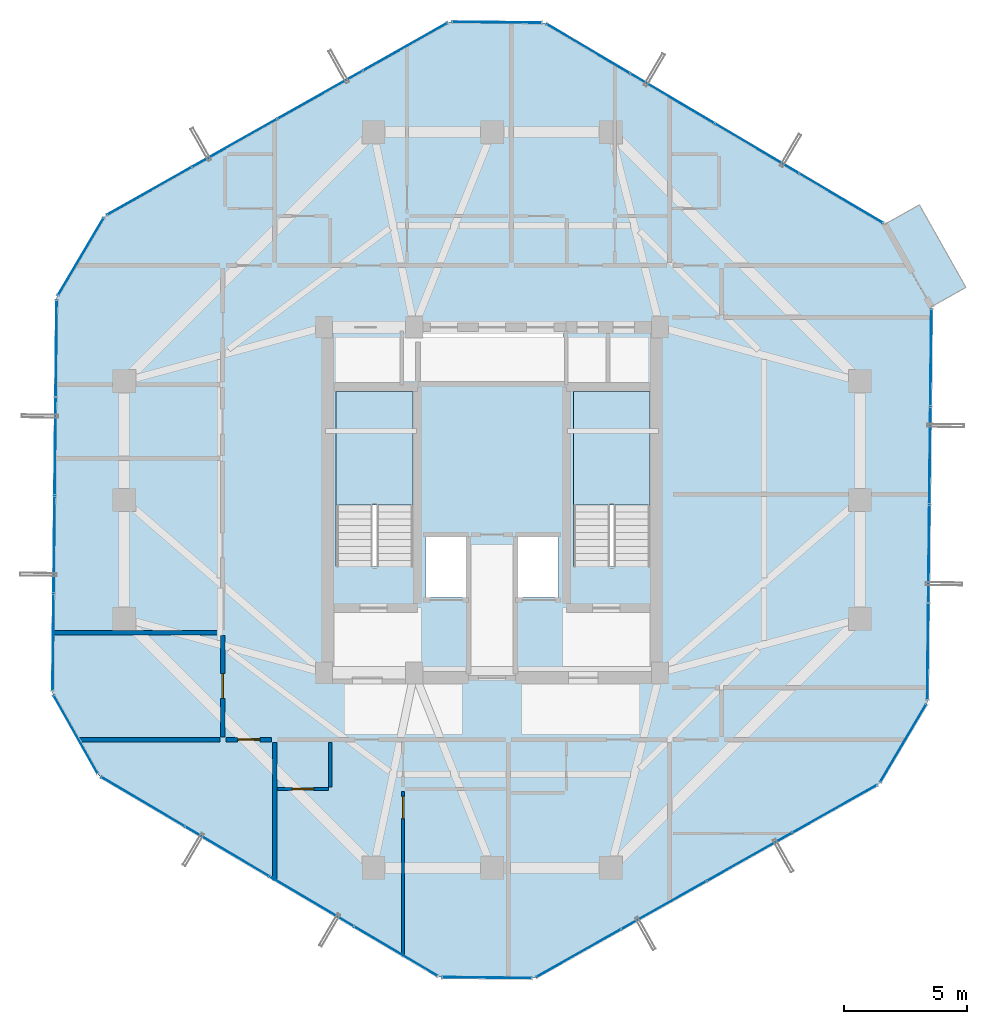
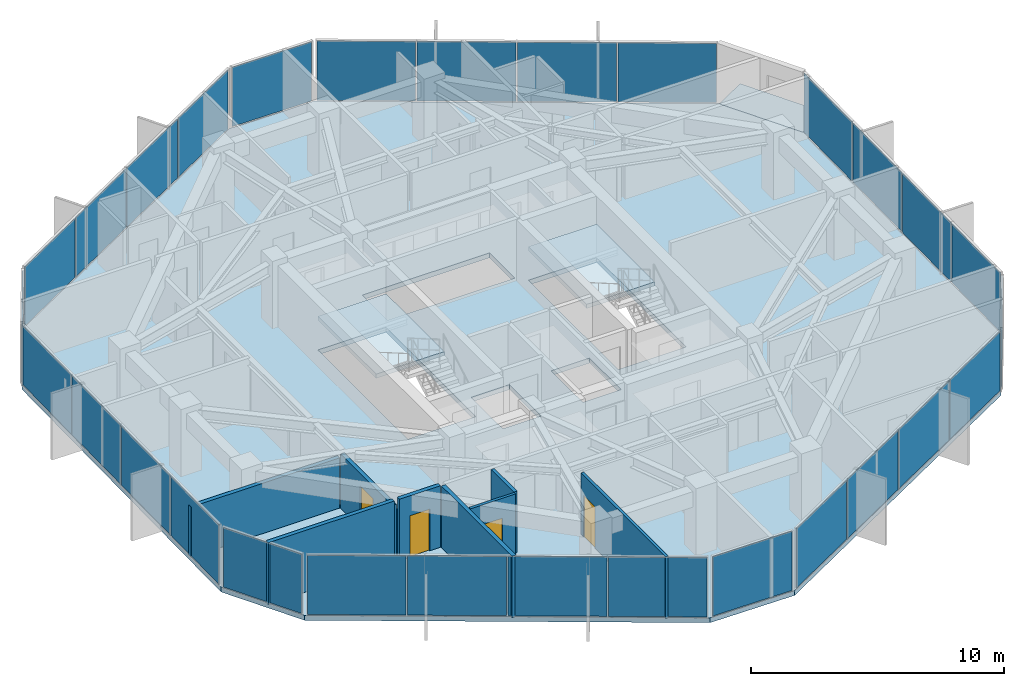
# One storey, part 25 of 30: 29 plates, 8 walls, 4 doors, 4 slabs, 4 openings, 13 elements without a shape of their own.
"""IFC4 building model written with IfcOpenShell, lengths in metres."""

from ifc_helpers import new_model, si_unit, direction, frame, frame_2d, origin, origin_2d, place, context, subcontext, project, spatial, polyline, rectangle, outline, extrude, source, transform, mapped, material, layer, layer_set, type_object, element, fill, aggregate, save


model = new_model("IFC4")

# Units and contexts
model_context = context("Model", 3, precision=1e-05, world=origin(), true_north=direction((0.0, 1.0)))
body_context = subcontext(model_context, "Body", "Model", "MODEL_VIEW")
ifc_project = project(units=[si_unit("LENGTHUNIT", "METRE"), si_unit("AREAUNIT", "SQUARE_METRE"), si_unit("VOLUMEUNIT", "CUBIC_METRE"), si_unit("PLANEANGLEUNIT", "RADIAN"), si_unit("MASSUNIT", "GRAM", prefix="KILO")], contexts=[model_context])

# Site, building, storey
site_placement = place(None, origin())
site = spatial("IfcSite", under=ifc_project, at=site_placement, CompositionType="ELEMENT")
building_placement = place(site_placement, origin())
building = spatial("IfcBuilding", under=site, at=building_placement, Name="Veraguas Prism Commons", CompositionType="ELEMENT")
storey_placement = place(building_placement, frame((0.0, 0.0, 208.10009765625)))
storey = spatial("IfcBuildingStorey", under=building, at=storey_placement, Name="L59", CompositionType="ELEMENT", Elevation=208.10009765625)

# Stair, slab
ifc_material_1 = material(Name="Precast concrete C45/55", Category="concrete")
stair_type = type_object("IfcStairType", Name="Dogleg Core Stair 1480W 20R 05", PredefinedType="HALF_TURN_STAIR", material=ifc_material_1)
stair_1_placement = place(storey_placement, origin())
stair_1 = element("IfcStair", 1, at=stair_1_placement, inside=storey, type_object=stair_type, Name="Protected Exit Stair ST-01 L59", PredefinedType="HALF_TURN_STAIR")
ifc_layer_1 = layer(ifc_material_1, 0.199951171875, Name="Precast Stair and Ramp Landing Slab 200", Category="concrete")
ifc_layer_set_1 = layer_set([ifc_layer_1], Name="Precast concrete C45/55")
slab_type_1 = type_object("IfcSlabType", Name="Precast Stair and Ramp Landing Slab 200", PredefinedType="LANDING", material=ifc_layer_set_1)
slab_1_placement = place(storey_placement, frame((0.0, 0.0, 1.4248046875)))
slab_1 = element("IfcSlab", 2, at=slab_1_placement, type_object=slab_type_1, Name="ST-05 Landing 1", PredefinedType="LANDING", context=body_context, shape_type="SweptSolid", body=[
    extrude(outline(polyline([(20.800048828125, 23.800048828125), (20.800048828125, 28.39990234375), (17.68994140625, 28.39990234375), (17.68994140625, 23.800048828125), (20.800048828125, 23.800048828125)])), origin(), (0.0, 0.0, 1.0), 0.2001953125),
])
aggregate(stair_1, [slab_1])

stair_2_placement = place(storey_placement, origin())
stair_2 = element("IfcStair", 3, at=stair_2_placement, inside=storey, type_object=stair_type, Name="Protected Exit Stair ST-02 L59", PredefinedType="HALF_TURN_STAIR")
slab_2_placement = place(storey_placement, frame((0.0, 0.0, 1.4248046875)))
slab_2 = element("IfcSlab", 4, at=slab_2_placement, type_object=slab_type_1, Name="ST-05 Landing 1", PredefinedType="LANDING", context=body_context, shape_type="SweptSolid", body=[
    extrude(outline(polyline([(30.39990234375, 23.800048828125), (30.39990234375, 28.39990234375), (27.2900390625, 28.39990234375), (27.2900390625, 23.800048828125), (30.39990234375, 23.800048828125)])), origin(), (0.0, 0.0, 1.0), 0.2001953125),
])
aggregate(stair_2, [slab_2])

# Slabs
ifc_material_2 = material(Name="Concrete C45/55", Category="concrete")
ifc_layer_2 = layer(ifc_material_2, 0.219970703125, Name="Recessed Loggia and Terrace Slab RC 220", Category="concrete")
ifc_layer_set_2 = layer_set([ifc_layer_2], Name="Concrete C45/55")
slab_type_2 = type_object("IfcSlabType", Name="Recessed Loggia and Terrace Slab RC 220", PredefinedType="FLOOR", material=ifc_layer_set_2)
slab_3_placement = place(storey_placement, frame((0.0, 0.0, -0.22021484375)))
element("IfcSlab", 5, at=slab_3_placement, inside=storey, type_object=slab_type_2, Name="Recessed Corner Loggia L59-C1", PredefinedType="FLOOR", context=body_context, shape_type="SweptSolid", body=[
    extrude(outline(polyline([(41.775634765625, 31.8154296875), (43.18701171875, 32.610595703125), (41.3046875, 35.951416015625), (39.893310546875, 35.156005859375), (41.775634765625, 31.8154296875)])), origin(), (0.0, 0.0, 1.0), 0.22021484375),
])
ifc_layer_3 = layer(ifc_material_2, 0.235107421875, Name="Tower Upper Residential Floor Slab RC 235", Category="concrete")
ifc_layer_set_3 = layer_set([ifc_layer_3], Name="Concrete C45/55")
slab_type_3 = type_object("IfcSlabType", Name="Tower Upper Residential Floor Slab RC 235", PredefinedType="FLOOR", material=ifc_layer_set_3)
slab_4_placement = place(storey_placement, frame((0.0, 0.0, -0.235107421875)))
element("IfcSlab", 6, at=slab_4_placement, inside=storey, type_object=slab_type_3, Name="Tower Floor Slab L59", PredefinedType="FLOOR", context=body_context, shape_type="SweptSolid", body=[
    extrude(outline(polyline([(41.793212890625, 31.8251953125), (39.910888671875, 35.166015625), (26.11962890625, 43.322021484375), (22.285400390625, 43.362060546875), (8.326416015625, 35.49658203125), (6.37451171875, 32.1962890625), (6.206787109375, 16.1748046875), (8.089111328125, 12.833984375), (21.88037109375, 4.677978515625), (25.714599609375, 4.637939453125), (39.673583984375, 12.50341796875), (41.62548828125, 15.8037109375), (41.793212890625, 31.8251953125)]), holes=[polyline([(20.800048828125, 21.31005859375), (20.800048828125, 28.39990234375), (17.68994140625, 28.39990234375), (17.68994140625, 21.31005859375), (20.800048828125, 21.31005859375)]), polyline([(30.39990234375, 21.31005859375), (30.39990234375, 28.39990234375), (27.2900390625, 28.39990234375), (27.2900390625, 21.31005859375), (30.39990234375, 21.31005859375)]), polyline([(21.10009765625, 28.800048828125), (26.89990234375, 28.800048828125), (26.89990234375, 30.800048828125), (21.10009765625, 30.800048828125), (21.10009765625, 28.800048828125)]), polyline([(21.300048828125, 20.050048828125), (23.050048828125, 20.050048828125), (23.050048828125, 22.550048828125), (21.300048828125, 22.550048828125), (21.300048828125, 20.050048828125)]), polyline([(24.949951171875, 20.050048828125), (26.699951171875, 20.050048828125), (26.699951171875, 22.550048828125), (24.949951171875, 22.550048828125), (24.949951171875, 20.050048828125)])]), origin(), (0.0, 0.0, 1.0), 0.235107421875),
])

# Curtain wall, plates
ifc_material_3 = material(Name="Anodised aluminium EN AW-6063 T6", Category="aluminium")
ifc_layer_4 = layer(ifc_material_3, 0.14990234375, Name="Unitised Flush Curtain Wall Zone 3", Category="aluminium")
ifc_layer_set_4 = layer_set([ifc_layer_4], Name="Anodised aluminium EN AW-6063 T6")
curtain_wall_type = type_object("IfcCurtainWallType", Name="Unitised Flush Curtain Wall Zone 3", PredefinedType="NOTDEFINED", material=ifc_layer_set_4)
curtain_wall_1_placement = place(storey_placement, origin())
curtain_wall_1 = element("IfcCurtainWall", 7, at=curtain_wall_1_placement, inside=storey, type_object=curtain_wall_type, Name="Tower Facade Curtain Wall L59-F1", PredefinedType="NOTDEFINED")
ifc_material_4 = material(Name="Laminated low-e glass", Category="glass")
ifc_layer_5 = layer(ifc_material_4, 0.028076171875, Name="Unitised Double Low-E Glazed Panel 28", Category="glass")
ifc_layer_set_5 = layer_set([ifc_layer_5], Name="Laminated low-e glass")
plate_type = type_object("IfcPlateType", Name="Unitised Double Low-E Glazed Panel 28", PredefinedType="CURTAIN_PANEL", material=ifc_layer_set_5)
shared_shape_1 = source(origin(), body_context, "Body", "SweptSolid", [
    extrude(rectangle(XDim=3.8857421875, YDim=0.028076171875, at=origin_2d()), origin(), (0.0, 0.0, 1.0), 2.860107421875),
])
plate_1_placement = place(storey_placement, frame((38.13525390625, 36.2158203125, 0.0546875), z_axis=(0.0, 0.0, 1.0), x_axis=(-0.860741138558, 0.509042918028, 0.0)))
plate_1 = element("IfcPlate", 8, at=plate_1_placement, type_object=plate_type, Name="CW-Z3 Panel 1.1", PredefinedType="CURTAIN_PANEL", context=body_context, shape_type="MappedRepresentation", body=[
    mapped(shared_shape_1, transform((0.0, 0.0, 0.0), scale=1.0)),
])
plate_2_placement = place(storey_placement, frame((27.89501953125, 42.27197265625, 0.0546875), z_axis=(0.0, 0.0, 1.0), x_axis=(-0.860741138558, 0.509042918028, 0.0)))
plate_2 = element("IfcPlate", 9, at=plate_2_placement, type_object=plate_type, Name="CW-Z3 Panel 4.1", PredefinedType="CURTAIN_PANEL", context=body_context, shape_type="MappedRepresentation", body=[
    mapped(shared_shape_1, transform((0.0, 0.0, 0.0), scale=1.0)),
])

curtain_wall_2_placement = place(storey_placement, origin())
curtain_wall_2 = element("IfcCurtainWall", 10, at=curtain_wall_2_placement, inside=storey, type_object=curtain_wall_type, Name="Tower Facade Curtain Wall L59-F4", PredefinedType="NOTDEFINED")
plate_3_placement = place(storey_placement, frame((9.86474609375, 11.7841796875, 0.0546875), z_axis=(0.0, 0.0, 1.0), x_axis=(0.860741138558, -0.509042918028, 0.0)))
plate_3 = element("IfcPlate", 11, at=plate_3_placement, type_object=plate_type, Name="CW-Z3 Panel 1.1", PredefinedType="CURTAIN_PANEL", context=body_context, shape_type="MappedRepresentation", body=[
    mapped(shared_shape_1, transform((0.0, 0.0, 0.0), scale=1.0)),
])
plate_4_placement = place(storey_placement, frame((20.10498046875, 5.72802734375, 0.0546875), z_axis=(0.0, 0.0, 1.0), x_axis=(0.860741138558, -0.509042918028, 0.0)))
plate_4 = element("IfcPlate", 12, at=plate_4_placement, type_object=plate_type, Name="CW-Z3 Panel 4.1", PredefinedType="CURTAIN_PANEL", context=body_context, shape_type="MappedRepresentation", body=[
    mapped(shared_shape_1, transform((0.0, 0.0, 0.0), scale=1.0)),
])

# Plate
shared_shape_2 = source(origin(), body_context, "Body", "SweptSolid", [
    extrude(rectangle(XDim=3.91552734375, YDim=0.028076171875, at=origin_2d()), origin(), (0.0, 0.0, 1.0), 2.860107421875),
])
plate_5_placement = place(storey_placement, frame((34.726318359375, 38.232177734375, 0.0546875), z_axis=(0.0, 0.0, 1.0), x_axis=(-0.860741138558, 0.509042918028, 0.0)))
plate_5 = element("IfcPlate", 13, at=plate_5_placement, type_object=plate_type, Name="CW-Z3 Panel 2.1", PredefinedType="CURTAIN_PANEL", context=body_context, shape_type="MappedRepresentation", body=[
    mapped(shared_shape_2, transform((0.0, 0.0, 0.0), scale=1.0)),
])

plate_6_placement = place(storey_placement, frame((31.30419921875, 40.255859375, 0.0546875), z_axis=(0.0, 0.0, 1.0), x_axis=(-0.860741138558, 0.509042918028, 0.0)))
plate_6 = element("IfcPlate", 14, at=plate_6_placement, type_object=plate_type, Name="CW-Z3 Panel 3.1", PredefinedType="CURTAIN_PANEL", context=body_context, shape_type="MappedRepresentation", body=[
    mapped(shared_shape_2, transform((0.0, 0.0, 0.0), scale=1.0)),
])

aggregate(curtain_wall_1, [plate_1, plate_5, plate_6, plate_2])

# Curtain wall, plates
curtain_wall_3_placement = place(storey_placement, origin())
curtain_wall_3 = element("IfcCurtainWall", 15, at=curtain_wall_3_placement, inside=storey, type_object=curtain_wall_type, Name="Tower Facade Curtain Wall L59-F2", PredefinedType="NOTDEFINED")
plate_7_placement = place(storey_placement, frame((17.037841796875, 40.4052734375, 0.0546875), z_axis=(0.0, 0.0, 1.0), x_axis=(-0.871215524692, -0.490900712502, 0.0)))
plate_7 = element("IfcPlate", 16, at=plate_7_placement, type_object=plate_type, Name="CW-Z3 Panel 2.1", PredefinedType="CURTAIN_PANEL", context=body_context, shape_type="MappedRepresentation", body=[
    mapped(shared_shape_2, transform((0.0, 0.0, 0.0), scale=1.0)),
])
plate_8_placement = place(storey_placement, frame((13.57421875, 38.45361328125, 0.0546875), z_axis=(0.0, 0.0, 1.0), x_axis=(-0.871215524692, -0.490900712502, 0.0)))
plate_8 = element("IfcPlate", 17, at=plate_8_placement, type_object=plate_type, Name="CW-Z3 Panel 3.1", PredefinedType="CURTAIN_PANEL", context=body_context, shape_type="MappedRepresentation", body=[
    mapped(shared_shape_2, transform((0.0, 0.0, 0.0), scale=1.0)),
])

curtain_wall_4_placement = place(storey_placement, origin())
curtain_wall_4 = element("IfcCurtainWall", 18, at=curtain_wall_4_placement, inside=storey, type_object=curtain_wall_type, Name="Tower Facade Curtain Wall L59-F3", PredefinedType="NOTDEFINED")
plate_9_placement = place(storey_placement, frame((6.3115234375, 26.173095703125, 0.0546875), z_axis=(0.0, 0.0, 1.0), x_axis=(-0.010470038883, -0.999945187641, 0.0)))
plate_9 = element("IfcPlate", 19, at=plate_9_placement, type_object=plate_type, Name="CW-Z3 Panel 2.1", PredefinedType="CURTAIN_PANEL", context=body_context, shape_type="MappedRepresentation", body=[
    mapped(shared_shape_2, transform((0.0, 0.0, 0.0), scale=1.0)),
])
plate_10_placement = place(storey_placement, frame((6.27001953125, 22.19775390625, 0.0546875), z_axis=(0.0, 0.0, 1.0), x_axis=(-0.010470038883, -0.999945187641, 0.0)))
plate_10 = element("IfcPlate", 20, at=plate_10_placement, type_object=plate_type, Name="CW-Z3 Panel 3.1", PredefinedType="CURTAIN_PANEL", context=body_context, shape_type="MappedRepresentation", body=[
    mapped(shared_shape_2, transform((0.0, 0.0, 0.0), scale=1.0)),
])

# Plate
plate_11_placement = place(storey_placement, frame((13.273681640625, 9.767822265625, 0.0546875), z_axis=(0.0, 0.0, 1.0), x_axis=(0.860741138558, -0.509042918028, 0.0)))
plate_11 = element("IfcPlate", 21, at=plate_11_placement, type_object=plate_type, Name="CW-Z3 Panel 2.1", PredefinedType="CURTAIN_PANEL", context=body_context, shape_type="MappedRepresentation", body=[
    mapped(shared_shape_2, transform((0.0, 0.0, 0.0), scale=1.0)),
])

plate_12_placement = place(storey_placement, frame((16.69580078125, 7.744140625, 0.0546875), z_axis=(0.0, 0.0, 1.0), x_axis=(0.860741138558, -0.509042918028, 0.0)))
plate_12 = element("IfcPlate", 22, at=plate_12_placement, type_object=plate_type, Name="CW-Z3 Panel 3.1", PredefinedType="CURTAIN_PANEL", context=body_context, shape_type="MappedRepresentation", body=[
    mapped(shared_shape_2, transform((0.0, 0.0, 0.0), scale=1.0)),
])

aggregate(curtain_wall_2, [plate_3, plate_11, plate_12, plate_4])

# Curtain wall, plates
curtain_wall_5_placement = place(storey_placement, origin())
curtain_wall_5 = element("IfcCurtainWall", 23, at=curtain_wall_5_placement, inside=storey, type_object=curtain_wall_type, Name="Tower Facade Curtain Wall L59-F5", PredefinedType="NOTDEFINED")
plate_13_placement = place(storey_placement, frame((30.962158203125, 7.5947265625, 0.0546875), z_axis=(0.0, 0.0, 1.0), x_axis=(0.871215524692, 0.490900712502, 0.0)))
plate_13 = element("IfcPlate", 24, at=plate_13_placement, type_object=plate_type, Name="CW-Z3 Panel 2.1", PredefinedType="CURTAIN_PANEL", context=body_context, shape_type="MappedRepresentation", body=[
    mapped(shared_shape_2, transform((0.0, 0.0, 0.0), scale=1.0)),
])
plate_14_placement = place(storey_placement, frame((34.42578125, 9.54638671875, 0.0546875), z_axis=(0.0, 0.0, 1.0), x_axis=(0.871215524692, 0.490900712502, 0.0)))
plate_14 = element("IfcPlate", 25, at=plate_14_placement, type_object=plate_type, Name="CW-Z3 Panel 3.1", PredefinedType="CURTAIN_PANEL", context=body_context, shape_type="MappedRepresentation", body=[
    mapped(shared_shape_2, transform((0.0, 0.0, 0.0), scale=1.0)),
])

curtain_wall_6_placement = place(storey_placement, origin())
curtain_wall_6 = element("IfcCurtainWall", 26, at=curtain_wall_6_placement, inside=storey, type_object=curtain_wall_type, Name="Tower Facade Curtain Wall L59-F6", PredefinedType="NOTDEFINED")
plate_15_placement = place(storey_placement, frame((41.6884765625, 21.826904296875, 0.0546875), z_axis=(0.0, 0.0, 1.0), x_axis=(0.010470038883, 0.999945187641, 0.0)))
plate_15 = element("IfcPlate", 27, at=plate_15_placement, type_object=plate_type, Name="CW-Z3 Panel 2.1", PredefinedType="CURTAIN_PANEL", context=body_context, shape_type="MappedRepresentation", body=[
    mapped(shared_shape_2, transform((0.0, 0.0, 0.0), scale=1.0)),
])
plate_16_placement = place(storey_placement, frame((41.72998046875, 25.80224609375, 0.0546875), z_axis=(0.0, 0.0, 1.0), x_axis=(0.010470038883, 0.999945187641, 0.0)))
plate_16 = element("IfcPlate", 28, at=plate_16_placement, type_object=plate_type, Name="CW-Z3 Panel 3.1", PredefinedType="CURTAIN_PANEL", context=body_context, shape_type="MappedRepresentation", body=[
    mapped(shared_shape_2, transform((0.0, 0.0, 0.0), scale=1.0)),
])

# Plate
shared_shape_3 = source(origin(), body_context, "Body", "SweptSolid", [
    extrude(rectangle(XDim=3.885498046875, YDim=0.028076171875, at=origin_2d()), origin(), (0.0, 0.0, 1.0), 2.860107421875),
])
plate_17_placement = place(storey_placement, frame((20.48828125, 42.349365234375, 0.0546875), z_axis=(0.0, 0.0, 1.0), x_axis=(-0.871215524692, -0.490900712502, 0.0)))
plate_17 = element("IfcPlate", 29, at=plate_17_placement, type_object=plate_type, Name="CW-Z3 Panel 1.1", PredefinedType="CURTAIN_PANEL", context=body_context, shape_type="MappedRepresentation", body=[
    mapped(shared_shape_3, transform((0.0, 0.0, 0.0), scale=1.0)),
])

plate_18_placement = place(storey_placement, frame((10.123779296875, 36.50927734375, 0.0546875), z_axis=(0.0, 0.0, 1.0), x_axis=(-0.871215524692, -0.490900712502, 0.0)))
plate_18 = element("IfcPlate", 30, at=plate_18_placement, type_object=plate_type, Name="CW-Z3 Panel 4.1", PredefinedType="CURTAIN_PANEL", context=body_context, shape_type="MappedRepresentation", body=[
    mapped(shared_shape_3, transform((0.0, 0.0, 0.0), scale=1.0)),
])

aggregate(curtain_wall_3, [plate_17, plate_7, plate_8, plate_18])

plate_19_placement = place(storey_placement, frame((6.35302734375, 30.133544921875, 0.0546875), z_axis=(0.0, 0.0, 1.0), x_axis=(-0.010470038883, -0.999945187641, 0.0)))
plate_19 = element("IfcPlate", 31, at=plate_19_placement, type_object=plate_type, Name="CW-Z3 Panel 1.1", PredefinedType="CURTAIN_PANEL", context=body_context, shape_type="MappedRepresentation", body=[
    mapped(shared_shape_3, transform((0.0, 0.0, 0.0), scale=1.0)),
])

plate_20_placement = place(storey_placement, frame((6.228515625, 18.2373046875, 0.0546875), z_axis=(0.0, 0.0, 1.0), x_axis=(-0.010470038883, -0.999945187641, 0.0)))
plate_20 = element("IfcPlate", 32, at=plate_20_placement, type_object=plate_type, Name="CW-Z3 Panel 4.1", PredefinedType="CURTAIN_PANEL", context=body_context, shape_type="MappedRepresentation", body=[
    mapped(shared_shape_3, transform((0.0, 0.0, 0.0), scale=1.0)),
])

aggregate(curtain_wall_4, [plate_19, plate_9, plate_10, plate_20])

plate_21_placement = place(storey_placement, frame((27.51171875, 5.650634765625, 0.0546875), z_axis=(0.0, 0.0, 1.0), x_axis=(0.871215524692, 0.490900712502, 0.0)))
plate_21 = element("IfcPlate", 33, at=plate_21_placement, type_object=plate_type, Name="CW-Z3 Panel 1.1", PredefinedType="CURTAIN_PANEL", context=body_context, shape_type="MappedRepresentation", body=[
    mapped(shared_shape_3, transform((0.0, 0.0, 0.0), scale=1.0)),
])

plate_22_placement = place(storey_placement, frame((37.876220703125, 11.49072265625, 0.0546875), z_axis=(0.0, 0.0, 1.0), x_axis=(0.871215524692, 0.490900712502, 0.0)))
plate_22 = element("IfcPlate", 34, at=plate_22_placement, type_object=plate_type, Name="CW-Z3 Panel 4.1", PredefinedType="CURTAIN_PANEL", context=body_context, shape_type="MappedRepresentation", body=[
    mapped(shared_shape_3, transform((0.0, 0.0, 0.0), scale=1.0)),
])

aggregate(curtain_wall_5, [plate_21, plate_13, plate_14, plate_22])

plate_23_placement = place(storey_placement, frame((41.64697265625, 17.866455078125, 0.0546875), z_axis=(0.0, 0.0, 1.0), x_axis=(0.010470038883, 0.999945187641, 0.0)))
plate_23 = element("IfcPlate", 35, at=plate_23_placement, type_object=plate_type, Name="CW-Z3 Panel 1.1", PredefinedType="CURTAIN_PANEL", context=body_context, shape_type="MappedRepresentation", body=[
    mapped(shared_shape_3, transform((0.0, 0.0, 0.0), scale=1.0)),
])

plate_24_placement = place(storey_placement, frame((41.771484375, 29.7626953125, 0.0546875), z_axis=(0.0, 0.0, 1.0), x_axis=(0.010470038883, 0.999945187641, 0.0)))
plate_24 = element("IfcPlate", 36, at=plate_24_placement, type_object=plate_type, Name="CW-Z3 Panel 4.1", PredefinedType="CURTAIN_PANEL", context=body_context, shape_type="MappedRepresentation", body=[
    mapped(shared_shape_3, transform((0.0, 0.0, 0.0), scale=1.0)),
])

aggregate(curtain_wall_6, [plate_23, plate_15, plate_16, plate_24])

# Curtain wall, plate
curtain_wall_7_placement = place(storey_placement, origin())
curtain_wall_7 = element("IfcCurtainWall", 37, at=curtain_wall_7_placement, inside=storey, type_object=curtain_wall_type, Name="Chamfer Curtain Wall L59-C2", PredefinedType="NOTDEFINED")
shared_shape_4 = source(origin(), body_context, "Body", "SweptSolid", [
    extrude(rectangle(XDim=3.59423828125, YDim=0.028076171875, at=origin_2d()), origin(), (0.0, 0.0, 1.0), 2.860107421875),
])
plate_25_placement = place(storey_placement, frame((24.20263671875, 43.342041015625, 0.0546875), z_axis=(0.0, 0.0, 1.0), x_axis=(-0.999945151087, 0.01047352935, 0.0)))
plate_25 = element("IfcPlate", 38, at=plate_25_placement, type_object=plate_type, Name="CW-Z3 Panel 1.1", PredefinedType="CURTAIN_PANEL", context=body_context, shape_type="MappedRepresentation", body=[
    mapped(shared_shape_4, transform((0.0, 0.0, 0.0), scale=1.0)),
])
aggregate(curtain_wall_7, [plate_25])

curtain_wall_8_placement = place(storey_placement, origin())
curtain_wall_8 = element("IfcCurtainWall", 39, at=curtain_wall_8_placement, inside=storey, type_object=curtain_wall_type, Name="Chamfer Curtain Wall L59-C4", PredefinedType="NOTDEFINED")
plate_26_placement = place(storey_placement, frame((7.14794921875, 14.50439453125, 0.0546875), z_axis=(0.0, 0.0, 1.0), x_axis=(0.490885506848, -0.871224092393, 0.0)))
plate_26 = element("IfcPlate", 40, at=plate_26_placement, type_object=plate_type, Name="CW-Z3 Panel 1.1", PredefinedType="CURTAIN_PANEL", context=body_context, shape_type="MappedRepresentation", body=[
    mapped(shared_shape_4, transform((0.0, 0.0, 0.0), scale=1.0)),
])
aggregate(curtain_wall_8, [plate_26])

curtain_wall_9_placement = place(storey_placement, origin())
curtain_wall_9 = element("IfcCurtainWall", 41, at=curtain_wall_9_placement, inside=storey, type_object=curtain_wall_type, Name="Chamfer Curtain Wall L59-C5", PredefinedType="NOTDEFINED")
plate_27_placement = place(storey_placement, frame((23.79736328125, 4.657958984375, 0.0546875), z_axis=(0.0, 0.0, 1.0), x_axis=(0.999945151087, -0.01047352935, 0.0)))
plate_27 = element("IfcPlate", 42, at=plate_27_placement, type_object=plate_type, Name="CW-Z3 Panel 1.1", PredefinedType="CURTAIN_PANEL", context=body_context, shape_type="MappedRepresentation", body=[
    mapped(shared_shape_4, transform((0.0, 0.0, 0.0), scale=1.0)),
])
aggregate(curtain_wall_9, [plate_27])

curtain_wall_10_placement = place(storey_placement, origin())
curtain_wall_10 = element("IfcCurtainWall", 43, at=curtain_wall_10_placement, inside=storey, type_object=curtain_wall_type, Name="Chamfer Curtain Wall L59-C3", PredefinedType="NOTDEFINED")
shared_shape_5 = source(origin(), body_context, "Body", "SweptSolid", [
    extrude(rectangle(XDim=3.594482421875, YDim=0.028076171875, at=origin_2d()), origin(), (0.0, 0.0, 1.0), 2.860107421875),
])
plate_28_placement = place(storey_placement, frame((7.3505859375, 33.846435546875, 0.0546875), z_axis=(0.0, 0.0, 1.0), x_axis=(-0.509057940717, -0.860732253952, 0.0)))
plate_28 = element("IfcPlate", 44, at=plate_28_placement, type_object=plate_type, Name="CW-Z3 Panel 1.1", PredefinedType="CURTAIN_PANEL", context=body_context, shape_type="MappedRepresentation", body=[
    mapped(shared_shape_5, transform((0.0, 0.0, 0.0), scale=1.0)),
])
aggregate(curtain_wall_10, [plate_28])

curtain_wall_11_placement = place(storey_placement, origin())
curtain_wall_11 = element("IfcCurtainWall", 45, at=curtain_wall_11_placement, inside=storey, type_object=curtain_wall_type, Name="Chamfer Curtain Wall L59-C6", PredefinedType="NOTDEFINED")
plate_29_placement = place(storey_placement, frame((40.6494140625, 14.153564453125, 0.0546875), z_axis=(0.0, 0.0, 1.0), x_axis=(0.509057940717, 0.860732253952, 0.0)))
plate_29 = element("IfcPlate", 46, at=plate_29_placement, type_object=plate_type, Name="CW-Z3 Panel 1.1", PredefinedType="CURTAIN_PANEL", context=body_context, shape_type="MappedRepresentation", body=[
    mapped(shared_shape_5, transform((0.0, 0.0, 0.0), scale=1.0)),
])
aggregate(curtain_wall_11, [plate_29])

# Walls
ifc_material_5 = material(Name="Autoclaved aerated masonry block 10 MPa", Category="masonry")
ifc_layer_6 = layer(ifc_material_5, 0.179931640625, Name="Corridor and Inter-Tenancy Partition 180", Category="masonry")
ifc_layer_set_6 = layer_set([ifc_layer_6], Name="Autoclaved aerated masonry block 10 MPa")
wall_type_1 = type_object("IfcWallType", Name="Corridor and Inter-Tenancy Partition 180", PredefinedType="PARTITIONING", material=ifc_layer_set_6)
wall_1_placement = place(storey_placement, frame((15.199951171875, 14.179931640625, 0.0), z_axis=(0.0, 0.0, 1.0), x_axis=(0.0, -1.0, 0.0)))
element("IfcWall", 47, at=wall_1_placement, inside=storey, type_object=wall_type_1, Name="WL-L59-PT001", PredefinedType="PARTITIONING", context=body_context, shape_type="SweptSolid", body=[
    extrude(rectangle(XDim=5.5859375, YDim=0.179931640625, at=frame_2d((2.79296875, 0.0))), origin(), (0.0, 0.0, 1.0), 2.969970703125),
])
wall_2_placement = place(storey_placement, frame((12.97998046875, 14.300048828125, 0.0), z_axis=(0.0, 0.0, 1.0), x_axis=(-1.0, 0.0, 0.0)))
element("IfcWall", 48, at=wall_2_placement, inside=storey, type_object=wall_type_1, Name="WL-L59-PT028", PredefinedType="PARTITIONING", context=body_context, shape_type="SweptSolid", body=[
    extrude(rectangle(XDim=5.751220703125, YDim=0.179931640625, at=frame_2d((2.87548828125, 0.0))), origin(), (0.0, 0.0, 1.0), 2.969970703125),
])

# Wall, opening, door
wall_3_placement = place(storey_placement, frame((13.10009765625, 14.409912109375, 0.0), z_axis=(0.0, 0.0, 1.0), x_axis=(0.0, 1.0, 0.0)))
wall_3 = element("IfcWall", 49, at=wall_3_placement, inside=storey, type_object=wall_type_1, Name="WL-L59-PT030", PredefinedType="PARTITIONING", context=body_context, shape_type="SweptSolid", body=[
    extrude(rectangle(XDim=4.110107421875, YDim=0.179931640625, at=frame_2d((2.05517578125, 0.0))), origin(), (0.0, 0.0, 1.0), 2.616943359375),
])
opening_1_placement = place(wall_3_placement, frame((1.554931640625, 0.0, 0.0)))
opening_1 = element("IfcOpeningElement", 50, at=opening_1_placement, cuts=wall_3, Name="Opening DR-13", PredefinedType="OPENING", context=body_context, shape_type="SweptSolid", body=[
    extrude(rectangle(XDim=1.0, YDim=2.010009765625, at=frame_2d((0.5, 1.0048828125))), frame((0.0, 0.099853515625, 0.0), z_axis=(0.0, -1.0, 0.0), x_axis=(1.0, 0.0, 0.0)), (0.0, 0.0, 1.0), 0.199951171875),
])
ifc_material_6 = material(Name="Steel fire-rated door assembly", Category="steel")
door_type_1 = type_object("IfcDoorType", Name="Core Accessible WC and Clinic Fire Door 1000x2010", OperationType="NOTDEFINED", PredefinedType="DOOR", material=ifc_material_6)
shared_shape_6 = source(origin(), body_context, "Body", "SweptSolid", [
    extrude(rectangle(XDim=1.0, YDim=2.010009765625, at=frame_2d((0.5, 1.0048828125))), frame((0.0, 0.02490234375, 0.0), z_axis=(0.0, -1.0, 0.0), x_axis=(1.0, 0.0, 0.0)), (0.0, 0.0, 1.0), 0.050048828125),
])
door_1_placement = place(opening_1_placement, origin())
door_1 = element("IfcDoor", 51, at=door_1_placement, inside=storey, type_object=door_type_1, Name="Residents Study Room Door", OperationType="SINGLE_SWING_RIGHT", OverallHeight=2.010009765625, OverallWidth=1.0, PredefinedType="DOOR", context=body_context, shape_type="MappedRepresentation", body=[
    mapped(shared_shape_6, transform((0.0, 0.0, 0.0), scale=1.0)),
])
fill(opening_1, door_1)

# Wall
wall_4_placement = place(storey_placement, frame((12.97998046875, 18.6298828125, 0.0), z_axis=(0.0, 0.0, 1.0), x_axis=(-1.0, 0.0, 0.0)))
element("IfcWall", 52, at=wall_4_placement, inside=storey, type_object=wall_type_1, Name="WL-L59-PT032", PredefinedType="PARTITIONING", context=body_context, shape_type="SweptSolid", body=[
    extrude(rectangle(XDim=6.77734375, YDim=0.179931640625, at=frame_2d((3.388671875, 0.0))), origin(), (0.0, 0.0, 1.0), 2.423828125),
])

# Wall, opening, door
wall_5_placement = place(storey_placement, frame((13.219970703125, 14.300048828125, 0.0), z_axis=(0.0, 0.0, 1.0), x_axis=(1.0, 0.0, 0.0)))
wall_5 = element("IfcWall", 53, at=wall_5_placement, inside=storey, type_object=wall_type_1, Name="WL-L59-PT044", PredefinedType="PARTITIONING", context=body_context, shape_type="SweptSolid", body=[
    extrude(rectangle(XDim=1.860107421875, YDim=0.179931640625, at=frame_2d((0.93017578125, 0.0))), origin(), (0.0, 0.0, 1.0), 2.969970703125),
])
opening_2_placement = place(wall_5_placement, frame((0.47998046875, 0.0, 0.0)))
opening_2 = element("IfcOpeningElement", 54, at=opening_2_placement, cuts=wall_5, Name="Opening DR-14", PredefinedType="OPENING", context=body_context, shape_type="SweptSolid", body=[
    extrude(rectangle(XDim=0.89990234375, YDim=2.010009765625, at=frame_2d((0.449951171875, 1.0048828125))), frame((0.0, 0.099853515625, 0.0), z_axis=(0.0, -1.0, 0.0), x_axis=(1.0, 0.0, 0.0)), (0.0, 0.0, 1.0), 0.199951171875),
])
door_type_2 = type_object("IfcDoorType", Name="Core Service Room Fire Door 900x2010", OperationType="NOTDEFINED", PredefinedType="DOOR", material=ifc_material_6)
shared_shape_7 = source(origin(), body_context, "Body", "SweptSolid", [
    extrude(rectangle(XDim=0.89990234375, YDim=2.010009765625, at=frame_2d((0.449951171875, 1.0048828125))), frame((0.0, 0.02490234375, 0.0), z_axis=(0.0, -1.0, 0.0), x_axis=(1.0, 0.0, 0.0)), (0.0, 0.0, 1.0), 0.050048828125),
])
door_2_placement = place(opening_2_placement, origin())
door_2 = element("IfcDoor", 55, at=door_2_placement, inside=storey, type_object=door_type_2, Name="Residents Cycle and Pram Store SW Door", OperationType="SINGLE_SWING_RIGHT", OverallHeight=2.010009765625, OverallWidth=0.89990234375, PredefinedType="DOOR", context=body_context, shape_type="MappedRepresentation", body=[
    mapped(shared_shape_7, transform((0.0, 0.0, 0.0), scale=1.0)),
])
fill(opening_2, door_2)

ifc_material_7 = material(Name="Lightweight acoustic gypsum board")
ifc_layer_7 = layer(ifc_material_7, 0.125, Name="Internal Apartment Room Partition 125")
ifc_layer_set_7 = layer_set([ifc_layer_7], Name="Lightweight acoustic gypsum board")
wall_type_2 = type_object("IfcWallType", Name="Internal Apartment Room Partition 125", PredefinedType="PARTITIONING", material=ifc_layer_set_7)
wall_6_placement = place(storey_placement, frame((15.320068359375, 12.300048828125, 0.0), z_axis=(0.0, 0.0, 1.0), x_axis=(1.0, 0.0, 0.0)))
wall_6 = element("IfcWall", 56, at=wall_6_placement, inside=storey, type_object=wall_type_2, Name="WL-L59-PT005", PredefinedType="PARTITIONING", context=body_context, shape_type="SweptSolid", body=[
    extrude(rectangle(XDim=2.050048828125, YDim=0.125, at=frame_2d((1.02490234375, 0.0))), origin(), (0.0, 0.0, 1.0), 2.969970703125),
])
opening_3_placement = place(wall_6_placement, frame((0.594970703125, 0.0, 0.0)))
opening_3 = element("IfcOpeningElement", 57, at=opening_3_placement, cuts=wall_6, Name="Opening DR-03", PredefinedType="OPENING", context=body_context, shape_type="SweptSolid", body=[
    extrude(rectangle(XDim=0.860107421875, YDim=2.010009765625, at=frame_2d((0.43017578125, 1.0048828125))), frame((0.0, 0.072509765625, 0.0), z_axis=(0.0, -1.0, 0.0), x_axis=(1.0, 0.0, 0.0)), (0.0, 0.0, 1.0), 0.14501953125),
])
ifc_material_8 = material(Name="Timber moisture-resistant leaf", Category="wood")
door_type_3 = type_object("IfcDoorType", Name="Internal Bathroom Door 860x2010", OperationType="NOTDEFINED", PredefinedType="DOOR", material=ifc_material_8)
shared_shape_8 = source(origin(), body_context, "Body", "SweptSolid", [
    extrude(rectangle(XDim=0.860107421875, YDim=2.010009765625, at=frame_2d((0.43017578125, 1.0048828125))), frame((0.0, 0.02490234375, 0.0), z_axis=(0.0, -1.0, 0.0), x_axis=(1.0, 0.0, 0.0)), (0.0, 0.0, 1.0), 0.050048828125),
])
door_3_placement = place(opening_3_placement, origin())
door_3 = element("IfcDoor", 58, at=door_3_placement, inside=storey, type_object=door_type_3, Name="Flat 59A Bathroom Door", OperationType="SINGLE_SWING_LEFT", OverallHeight=2.010009765625, OverallWidth=0.860107421875, PredefinedType="DOOR", context=body_context, shape_type="MappedRepresentation", body=[
    mapped(shared_shape_8, transform((0.0, 0.0, 0.0), scale=1.0)),
])
fill(opening_3, door_3)

wall_7_placement = place(storey_placement, frame((20.403076171875, 12.199951171875, 0.0), z_axis=(0.0, 0.0, 1.0), x_axis=(0.0, -1.0, 0.0)))
wall_7 = element("IfcWall", 59, at=wall_7_placement, inside=storey, type_object=wall_type_2, Name="WL-L59-PT008", PredefinedType="PARTITIONING", context=body_context, shape_type="SweptSolid", body=[
    extrude(rectangle(XDim=6.68310546875, YDim=0.125, at=frame_2d((3.341552734375, 0.0))), origin(), (0.0, 0.0, 1.0), 2.969970703125),
])
opening_4_placement = place(wall_7_placement, frame((0.199951171875, 0.0, 0.0)))
opening_4 = element("IfcOpeningElement", 60, at=opening_4_placement, cuts=wall_7, Name="Opening DR-02", PredefinedType="OPENING", context=body_context, shape_type="SweptSolid", body=[
    extrude(rectangle(XDim=0.89990234375, YDim=2.010009765625, at=frame_2d((0.449951171875, 1.0048828125))), frame((0.0, 0.072509765625, 0.0), z_axis=(0.0, -1.0, 0.0), x_axis=(1.0, 0.0, 0.0)), (0.0, 0.0, 1.0), 0.14501953125),
])
ifc_material_9 = material(Name="Timber solid core hardwood", Category="wood")
door_type_4 = type_object("IfcDoorType", Name="Internal Habitable Room Door 900x2010", OperationType="NOTDEFINED", PredefinedType="DOOR", material=ifc_material_9)
door_4_placement = place(opening_4_placement, origin())
door_4 = element("IfcDoor", 61, at=door_4_placement, inside=storey, type_object=door_type_4, Name="Flat 59A Bedroom 1 Door", OperationType="SINGLE_SWING_LEFT", OverallHeight=2.010009765625, OverallWidth=0.89990234375, PredefinedType="DOOR", context=body_context, shape_type="MappedRepresentation", body=[
    mapped(shared_shape_7, transform((0.0, 0.0, 0.0), scale=1.0)),
])
fill(opening_4, door_4)

# Wall
ifc_layer_8 = layer(ifc_material_7, 0.14990234375, Name="Wet Room and Clinic Acoustic Partition 150")
ifc_layer_set_8 = layer_set([ifc_layer_8], Name="Lightweight acoustic gypsum board")
wall_type_3 = type_object("IfcWallType", Name="Wet Room and Clinic Acoustic Partition 150", PredefinedType="PARTITIONING", material=ifc_layer_set_8)
wall_8_placement = place(storey_placement, frame((17.449951171875, 14.179931640625, 0.0), z_axis=(0.0, 0.0, 1.0), x_axis=(0.0, -1.0, 0.0)))
element("IfcWall", 62, at=wall_8_placement, inside=storey, type_object=wall_type_3, Name="WL-L59-PT004", PredefinedType="PARTITIONING", context=body_context, shape_type="SweptSolid", body=[
    extrude(rectangle(XDim=1.800048828125, YDim=0.14990234375, at=frame_2d((0.89990234375, 0.0))), origin(), (0.0, 0.0, 1.0), 2.969970703125),
])

save(model, "model.ifc")
